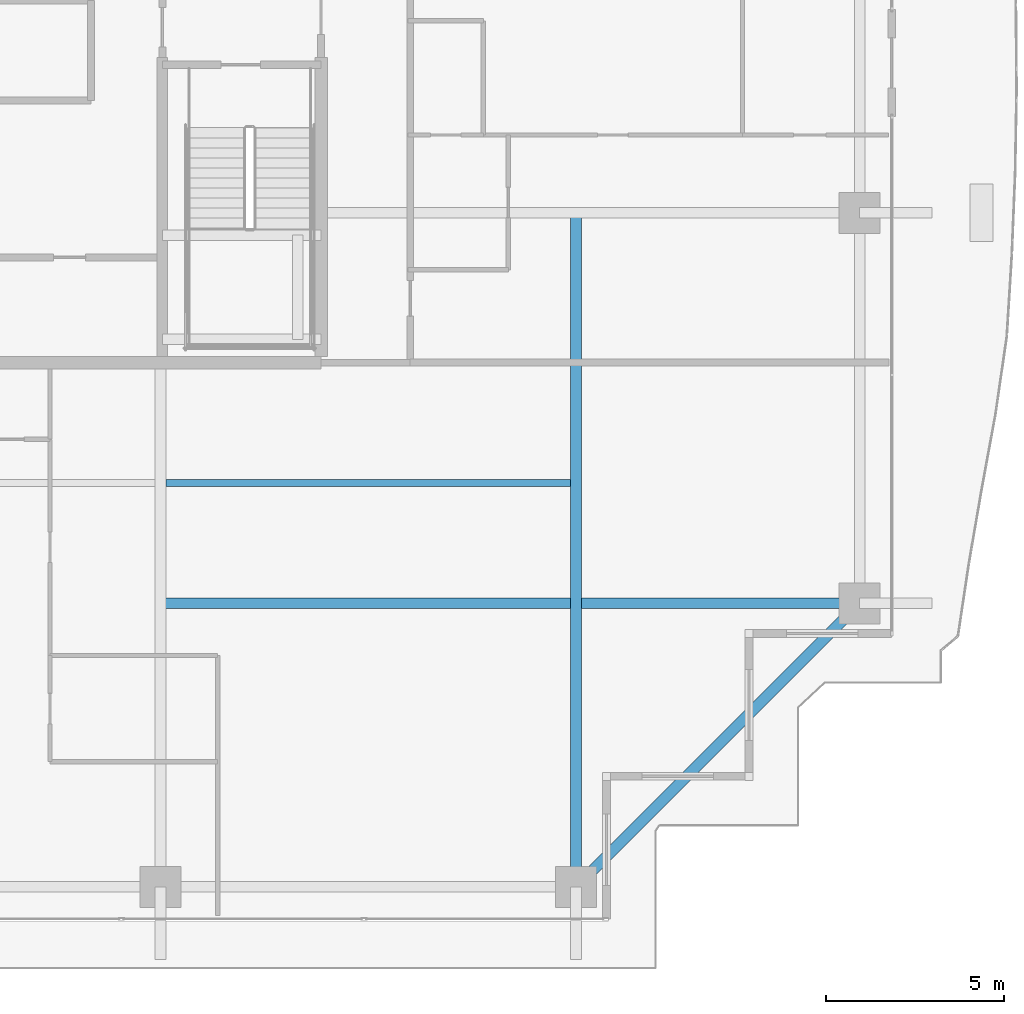
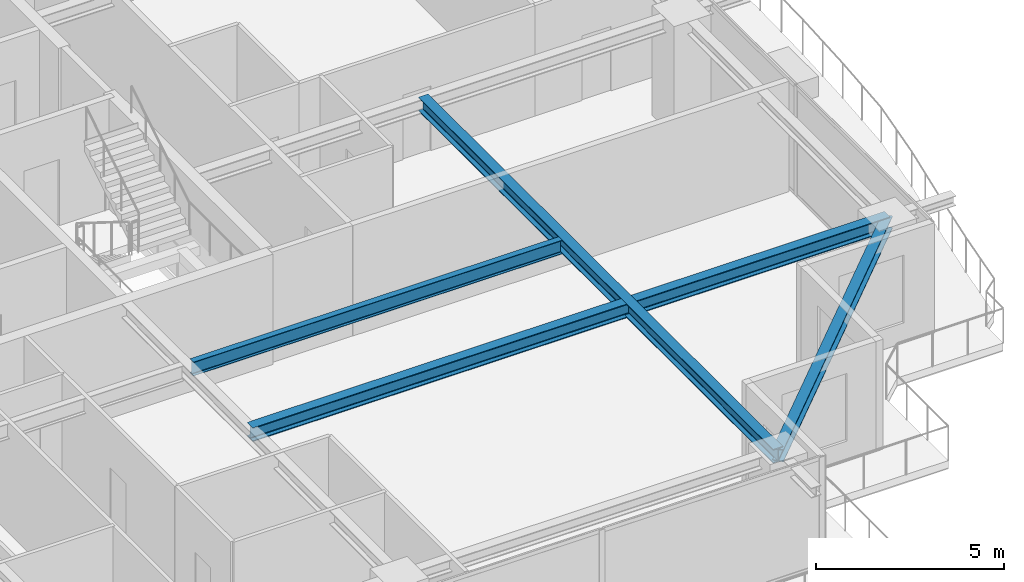
# One storey, part 12 of 37: 4 beams.
"""IFC4 building model written with IfcOpenShell, lengths in metres."""

from ifc_helpers import new_model, si_unit, direction, frame, origin, origin_2d, place, context, subcontext, project, spatial, i_section, extrude, source, transform, mapped, material, material_profile, profile_set, type_object, element, save


model = new_model("IFC4")

# Units and contexts
model_context = context("Model", 3, precision=1e-05, world=origin(), true_north=direction((0.0, 1.0)))
body_context = subcontext(model_context, "Body", "Model", "MODEL_VIEW")
ifc_project = project(units=[si_unit("LENGTHUNIT", "METRE"), si_unit("AREAUNIT", "SQUARE_METRE"), si_unit("VOLUMEUNIT", "CUBIC_METRE"), si_unit("PLANEANGLEUNIT", "RADIAN"), si_unit("MASSUNIT", "GRAM", prefix="KILO")], contexts=[model_context])

# Site, building, storey
site_placement = place(None, origin())
site = spatial("IfcSite", under=ifc_project, at=site_placement, CompositionType="ELEMENT")
building_placement = place(site_placement, origin())
building = spatial("IfcBuilding", under=site, at=building_placement, Name="Serunith Strait Residences", CompositionType="ELEMENT")
storey_placement = place(building_placement, frame((0.0, 0.0, 248.949951171875)))
storey = spatial("IfcBuildingStorey", under=building, at=storey_placement, Name="L62", CompositionType="ELEMENT", Elevation=248.949951171875)

# Beams
ifc_material = material(Name="Steel S355J2", Category="steel")
ifc_material_profile_1 = material_profile(ifc_material, i_section(OverallWidth=0.300048828125, OverallDepth=0.449951171875, WebThickness=0.013916015625, FlangeThickness=0.02587890625, FilletRadius=0.027099609375, at=origin_2d()), Name="HEB 450")
ifc_profile_set_1 = profile_set([ifc_material_profile_1], Name="Steel S355J2")
beam_type_1 = type_object("IfcBeamType", Name="BM-HEB450", PredefinedType="BEAM", material=ifc_profile_set_1)
shared_shape_1 = source(origin(), body_context, "Body", "SweptSolid", [
    extrude(i_section(OverallWidth=0.300048828125, OverallDepth=0.449951171875, WebThickness=0.013916015625, FlangeThickness=0.02587890625, FilletRadius=0.027099609375, at=origin_2d()), origin(), (0.0, 0.0, 1.0), 18.89990234375),
])
beam_1_placement = place(storey_placement, frame((48.550048828125, 21.0, 3.362060546875), z_axis=(0.0, -1.0, 0.0), x_axis=(1.0, 0.0, 0.0)))
element("IfcBeam", 1, at=beam_1_placement, inside=storey, type_object=beam_type_1, Name="L62 Orthogonal Corner Girder TC-S4", PredefinedType="BEAM", context=body_context, shape_type="MappedRepresentation", body=[
    mapped(shared_shape_1, transform((0.0, 0.0, 0.0), scale=1.0)),
])
shared_shape_2 = source(origin(), body_context, "Body", "SweptSolid", [
    extrude(i_section(OverallWidth=0.300048828125, OverallDepth=0.449951171875, WebThickness=0.013916015625, FlangeThickness=0.02587890625, FilletRadius=0.027099609375, at=origin_2d()), origin(), (0.0, 0.0, 1.0), 19.60009765625),
])
beam_2_placement = place(storey_placement, frame((36.89990234375, 10.050048828125, 3.362060546875), z_axis=(1.0, 0.0, 0.0), x_axis=(0.0, 1.0, 0.0)))
element("IfcBeam", 2, at=beam_2_placement, inside=storey, type_object=beam_type_1, Name="L62 Orthogonal Corner Girder TC-E1", PredefinedType="BEAM", context=body_context, shape_type="MappedRepresentation", body=[
    mapped(shared_shape_2, transform((0.0, 0.0, 0.0), scale=1.0)),
])
ifc_material_profile_2 = material_profile(ifc_material, i_section(OverallWidth=0.300048828125, OverallDepth=0.39990234375, WebThickness=0.013427734375, FlangeThickness=0.02392578125, FilletRadius=0.027099609375, at=origin_2d()), Name="HEB 400")
ifc_profile_set_2 = profile_set([ifc_material_profile_2], Name="Steel S355J2")
beam_type_2 = type_object("IfcBeamType", Name="BM-HEB400", PredefinedType="BEAM", material=ifc_profile_set_2)
shared_shape_3 = source(origin(), body_context, "Body", "SweptSolid", [
    extrude(i_section(OverallWidth=0.300048828125, OverallDepth=0.39990234375, WebThickness=0.013427734375, FlangeThickness=0.02392578125, FilletRadius=0.027099609375, at=origin_2d()), origin(), (0.0, 0.0, 1.0), 11.242919921875),
])
beam_3_placement = place(storey_placement, frame((48.550048828125, 2.10009765625, 3.35693359375), z_axis=(0.707106781187, 0.707106781187, 0.0), x_axis=(-0.707106781187, 0.707106781187, 0.0)))
element("IfcBeam", 3, at=beam_3_placement, inside=storey, type_object=beam_type_2, Name="L62 Perimeter Ring Beam 04", PredefinedType="BEAM", context=body_context, shape_type="MappedRepresentation", body=[
    mapped(shared_shape_3, transform((0.0, 0.0, 0.0), scale=1.0)),
])
ifc_material_profile_3 = material_profile(ifc_material, i_section(OverallWidth=0.18994140625, OverallDepth=0.449951171875, WebThickness=0.009521484375, FlangeThickness=0.0146484375, FilletRadius=0.02099609375, at=origin_2d()), Name="IPE 450")
ifc_profile_set_3 = profile_set([ifc_material_profile_3], Name="Steel S355J2")
beam_type_3 = type_object("IfcBeamType", Name="BM-IPE450", PredefinedType="JOIST", material=ifc_profile_set_3)
shared_shape_4 = source(origin(), body_context, "Body", "SweptSolid", [
    extrude(i_section(OverallWidth=0.18994140625, OverallDepth=0.449951171875, WebThickness=0.009521484375, FlangeThickness=0.0146484375, FilletRadius=0.02099609375, at=origin_2d()), origin(), (0.0, 0.0, 1.0), 11.349853515625),
])
beam_4_placement = place(storey_placement, frame((37.050048828125, 13.425048828125, 3.362060546875), z_axis=(1.0, 0.0, 0.0), x_axis=(0.0, 1.0, 0.0)))
element("IfcBeam", 4, at=beam_4_placement, inside=storey, type_object=beam_type_3, Name="L62 Composite Floor Joist 03", PredefinedType="JOIST", context=body_context, shape_type="MappedRepresentation", body=[
    mapped(shared_shape_4, transform((0.0, 0.0, 0.0), scale=1.0)),
])

save(model, "model.ifc")
